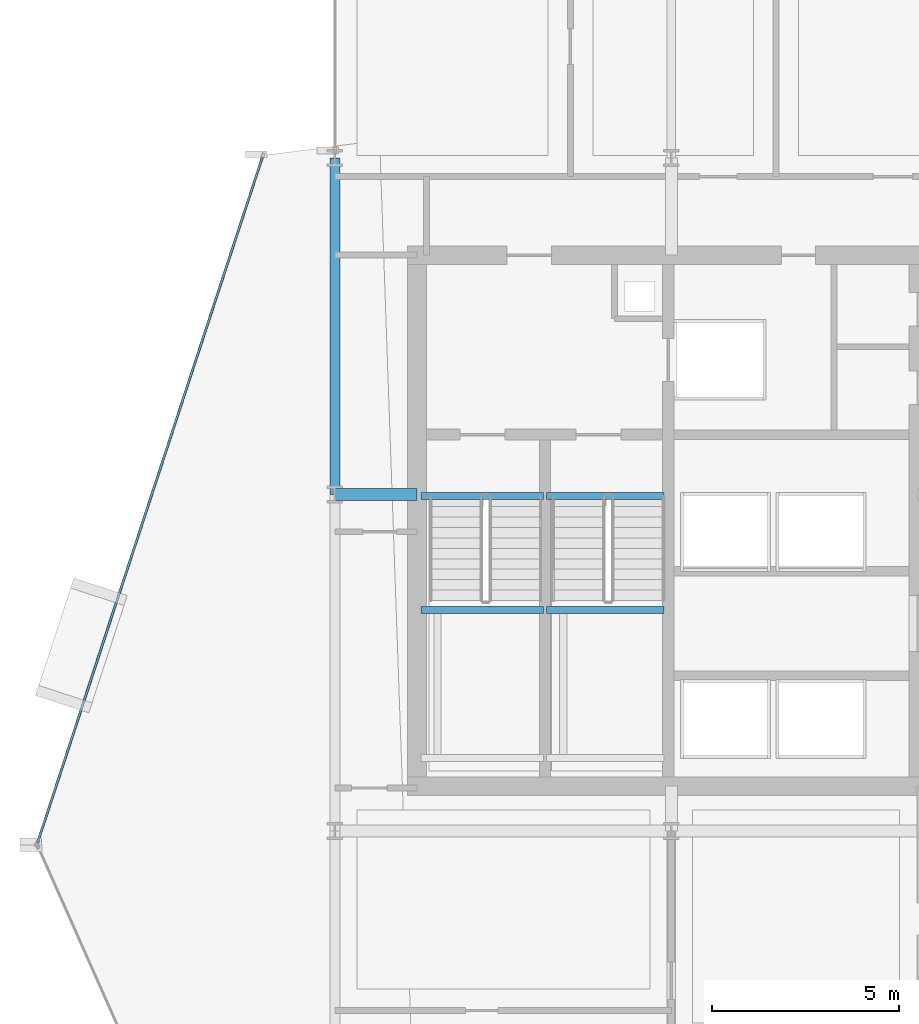
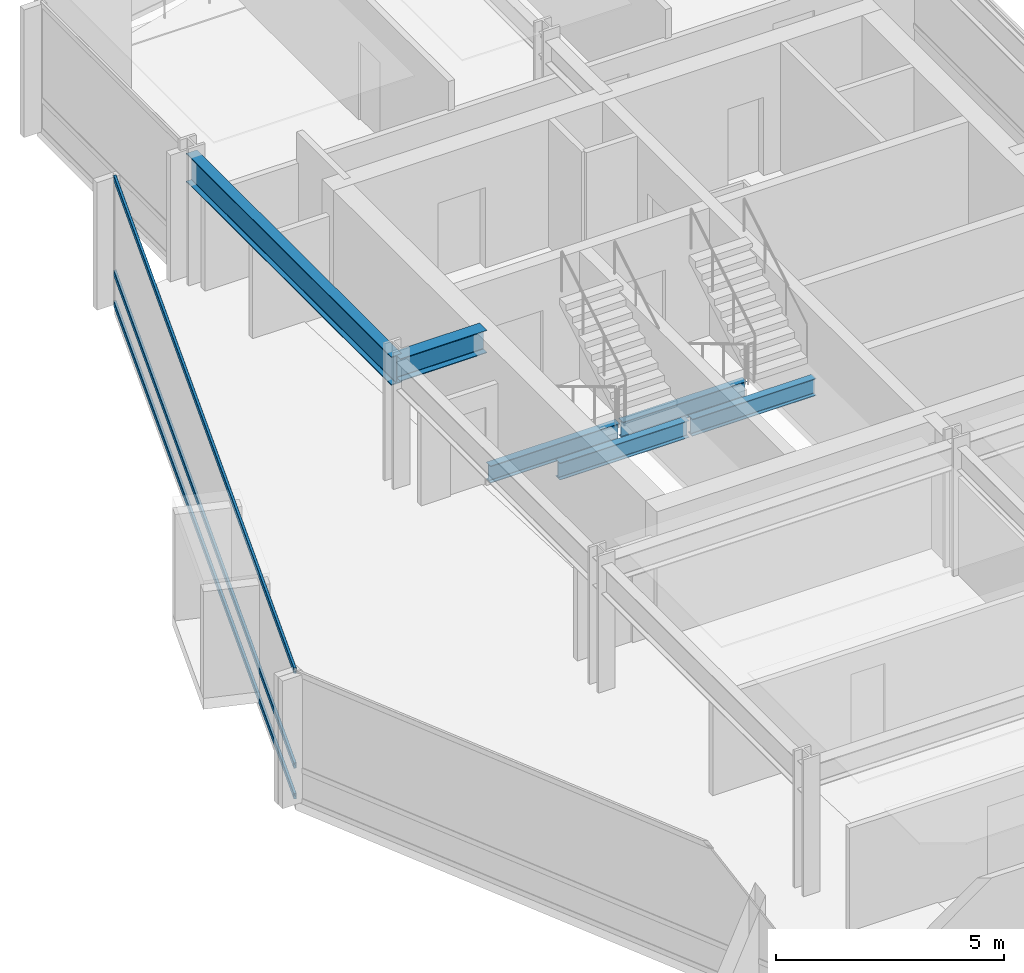
# One storey, part 15 of 29: 6 beams, 3 members, 1 element without a shape of its own.
"""IFC4 building model written with IfcOpenShell, lengths in metres."""

from ifc_helpers import new_model, si_unit, direction, frame, origin, origin_2d, place, context, subcontext, project, spatial, hollow_rectangle, i_section, extrude, material, layer, layer_set, material_profile, profile_set, type_object, element, aggregate, save


model = new_model("IFC4")

# Units and contexts
model_context = context("Model", 3, precision=1e-05, world=origin(), true_north=direction((0.0, 1.0)))
body_context = subcontext(model_context, "Body", "Model", "MODEL_VIEW")
ifc_project = project(units=[si_unit("LENGTHUNIT", "METRE"), si_unit("AREAUNIT", "SQUARE_METRE"), si_unit("VOLUMEUNIT", "CUBIC_METRE"), si_unit("PLANEANGLEUNIT", "RADIAN"), si_unit("MASSUNIT", "GRAM", prefix="KILO")], contexts=[model_context])

# Site, building, storey
site_placement = place(None, origin())
site = spatial("IfcSite", under=ifc_project, at=site_placement, CompositionType="ELEMENT")
building_placement = place(site_placement, origin())
building = spatial("IfcBuilding", under=site, at=building_placement, Name="Solvaryn Broadcast Tower", CompositionType="ELEMENT")
storey_placement = place(building_placement, frame((0.0, 0.0, 128.5)))
storey = spatial("IfcBuildingStorey", under=building, at=storey_placement, Name="L31", CompositionType="ELEMENT", Elevation=128.5)

# Beams
ifc_material_1 = material(Name="Steel ASTM A992 Grade 50", Category="steel")
ifc_material_profile_1 = material_profile(ifc_material_1, i_section(OverallWidth=0.323974609375, OverallDepth=0.611083984375, WebThickness=0.0126953125, FlangeThickness=0.01904296875, FilletRadius=0.014892578125, at=origin_2d()))
ifc_profile_set_1 = profile_set([ifc_material_profile_1], Name="Steel ASTM A992 Grade 50")
beam_type_1 = type_object("IfcBeamType", Name="BM-B1-W24X104", PredefinedType="BEAM", material=ifc_profile_set_1)
beam_1_placement = place(storey_placement, frame((9.0, 36.0, 3.114501953125), z_axis=(1.0, 0.0, 0.0), x_axis=(0.0, 1.0, 0.0)))
element("IfcBeam", 1, at=beam_1_placement, inside=storey, type_object=beam_type_1, Name="L31 Core Tie Beam CTW1", PredefinedType="BEAM", context=body_context, shape_type="SweptSolid", body=[
    extrude(i_section(OverallWidth=0.323974609375, OverallDepth=0.611083984375, WebThickness=0.0126953125, FlangeThickness=0.01904296875, FilletRadius=0.014892578125, at=origin_2d()), origin(), (0.0, 0.0, 1.0), 2.199951171875),
])
ifc_material_2 = material(Name="Steel ASTM A992 Grade 50", Category="steel")
ifc_material_profile_2 = material_profile(ifc_material_2, i_section(OverallWidth=0.18994140625, OverallDepth=0.45703125, WebThickness=0.009033203125, FlangeThickness=0.014404296875, FilletRadius=0.011962890625, at=origin_2d()))
ifc_profile_set_2 = profile_set([ifc_material_profile_2], Name="Steel ASTM A992 Grade 50")
beam_type_2 = type_object("IfcBeamType", Name="BM-B4-W18X50", PredefinedType="BEAM", material=ifc_profile_set_2)
for number, where, z_axis, x_axis, name in (
    (2, (11.300048828125, 35.9599609375, -0.508544921875), (1.0, 0.0, 0.0), (0.0, 1.0, 0.0), "L31 ST1 Stair Well Trimmer Beam"),
    (3, (11.300048828125, 32.909912109375, 1.42138671875), (1.0, 0.0, 0.0), (0.0, 1.0, 0.0), "L31 ST1 Landing Support Beam 1B"),
):
    element("IfcBeam", number, at=place(storey_placement, frame(where, z_axis=z_axis, x_axis=x_axis)), inside=storey, type_object=beam_type_2, Name=name, PredefinedType="BEAM", context=body_context, shape_type="SweptSolid", body=[
        extrude(i_section(OverallWidth=0.18994140625, OverallDepth=0.45703125, WebThickness=0.009033203125, FlangeThickness=0.014404296875, FilletRadius=0.011962890625, at=origin_2d()), origin(), (0.0, 0.0, 1.0), 3.280029296875),
    ])
for number, where, z_axis, x_axis, name in (
    (4, (14.659912109375, 35.9599609375, -0.508544921875), (1.0, 0.0, 0.0), (0.0, 1.0, 0.0), "L31 ST2 Stair Well Trimmer Beam"),
    (5, (14.659912109375, 32.909912109375, 1.42138671875), (1.0, 0.0, 0.0), (0.0, 1.0, 0.0), "L31 ST2 Landing Support Beam 1B"),
):
    element("IfcBeam", number, at=place(storey_placement, frame(where, z_axis=z_axis, x_axis=x_axis)), inside=storey, type_object=beam_type_2, Name=name, PredefinedType="BEAM", context=body_context, shape_type="SweptSolid", body=[
        extrude(i_section(OverallWidth=0.18994140625, OverallDepth=0.45703125, WebThickness=0.009033203125, FlangeThickness=0.014404296875, FilletRadius=0.011962890625, at=origin_2d()), origin(), (0.0, 0.0, 1.0), 3.14013671875),
    ])
ifc_material_3 = material(Name="Steel ASTM A992 Grade 50", Category="steel")
ifc_material_profile_3 = material_profile(ifc_material_3, i_section(OverallWidth=0.26708984375, OverallDepth=0.76611328125, WebThickness=0.014892578125, FlangeThickness=0.023681640625, FilletRadius=0.01806640625, at=origin_2d()))
ifc_profile_set_3 = profile_set([ifc_material_profile_3], Name="Steel ASTM A992 Grade 50")
beam_type_3 = type_object("IfcBeamType", Name="BM-SP2-W30X124", PredefinedType="USERDEFINED", material=ifc_profile_set_3)
beam_2_placement = place(storey_placement, frame((9.0, 36.0, 3.037109375), z_axis=(0.0, 1.0, 0.0), x_axis=(-1.0, 0.0, 0.0)))
element("IfcBeam", 6, at=beam_2_placement, inside=storey, type_object=beam_type_3, Name="L31 Spandrel Beam Y (36-45 @ X=9)", ObjectType="SPANDREL", PredefinedType="USERDEFINED", context=body_context, shape_type="SweptSolid", body=[
    extrude(i_section(OverallWidth=0.26708984375, OverallDepth=0.76611328125, WebThickness=0.014892578125, FlangeThickness=0.023681640625, FilletRadius=0.01806640625, at=origin_2d()), origin(), (0.0, 0.0, 1.0), 9.0),
])

# Curtain wall, members
ifc_material_4 = material(Name="Aluminium and Terracotta Unitised Curtain Wall", Category="masonry")
ifc_layer = layer(ifc_material_4, 0.199951171875)
ifc_layer_set = layer_set([ifc_layer], Name="CW-SYS2-LOWMID")
curtain_wall_type = type_object("IfcCurtainWallType", Name="CW-SYS2-LOWMID", PredefinedType="NOTDEFINED", material=ifc_layer_set)
curtain_wall_placement = place(storey_placement, origin())
curtain_wall = element("IfcCurtainWall", 7, at=curtain_wall_placement, inside=storey, type_object=curtain_wall_type, Name="L31 Curtain Wall DR1", PredefinedType="NOTDEFINED")
ifc_material_5 = material(Name="Anodised Aluminium 6063-T6", Category="aluminium")
ifc_material_profile_4 = material_profile(ifc_material_5, hollow_rectangle(XDim=0.06494140625, YDim=0.14990234375, WallThickness=0.00390625, InnerFilletRadius=0.00390625, OuterFilletRadius=0.008056640625, at=origin_2d()))
ifc_profile_set_4 = profile_set([ifc_material_profile_4], Name="Anodised Aluminium 6063-T6")
member_type = type_object("IfcMemberType", Name="CW-TRN-150", PredefinedType="USERDEFINED", material=ifc_profile_set_4)
member_1_placement = place(storey_placement, frame((7.060302734375, 45.010009765625, 0.030029296875), z_axis=(-0.31164571445, -0.950198373323, 0.0), x_axis=(0.950198373323, -0.31164571445, 0.0)))
member_1 = element("IfcMember", 8, at=member_1_placement, type_object=member_type, Name="CWS2 transom 1.1", ObjectType="TRANSOM", PredefinedType="USERDEFINED", context=body_context, shape_type="SweptSolid", body=[
    extrude(hollow_rectangle(XDim=0.06494140625, YDim=0.14990234375, WallThickness=0.00390625, InnerFilletRadius=0.00390625, OuterFilletRadius=0.008056640625, at=origin_2d()), origin(), (0.0, 0.0, 1.0), 19.27685546875),
])
member_2_placement = place(storey_placement, frame((7.060302734375, 45.010009765625, 0.85009765625), z_axis=(-0.31164571445, -0.950198373323, 0.0), x_axis=(0.950198373323, -0.31164571445, 0.0)))
member_2 = element("IfcMember", 9, at=member_2_placement, type_object=member_type, Name="CWS2 transom 1.2", ObjectType="TRANSOM", PredefinedType="USERDEFINED", context=body_context, shape_type="SweptSolid", body=[
    extrude(hollow_rectangle(XDim=0.06494140625, YDim=0.14990234375, WallThickness=0.00390625, InnerFilletRadius=0.00390625, OuterFilletRadius=0.008056640625, at=origin_2d()), origin(), (0.0, 0.0, 1.0), 19.27685546875),
])
member_3_placement = place(storey_placement, frame((7.060302734375, 45.010009765625, 3.389892578125), z_axis=(-0.31164571445, -0.950198373323, 0.0), x_axis=(0.950198373323, -0.31164571445, 0.0)))
member_3 = element("IfcMember", 10, at=member_3_placement, type_object=member_type, Name="CWS2 transom 1.3", ObjectType="TRANSOM", PredefinedType="USERDEFINED", context=body_context, shape_type="SweptSolid", body=[
    extrude(hollow_rectangle(XDim=0.06494140625, YDim=0.14990234375, WallThickness=0.00390625, InnerFilletRadius=0.00390625, OuterFilletRadius=0.008056640625, at=origin_2d()), origin(), (0.0, 0.0, 1.0), 19.27685546875),
])
aggregate(curtain_wall, [member_1, member_2, member_3])

save(model, "model.ifc")
